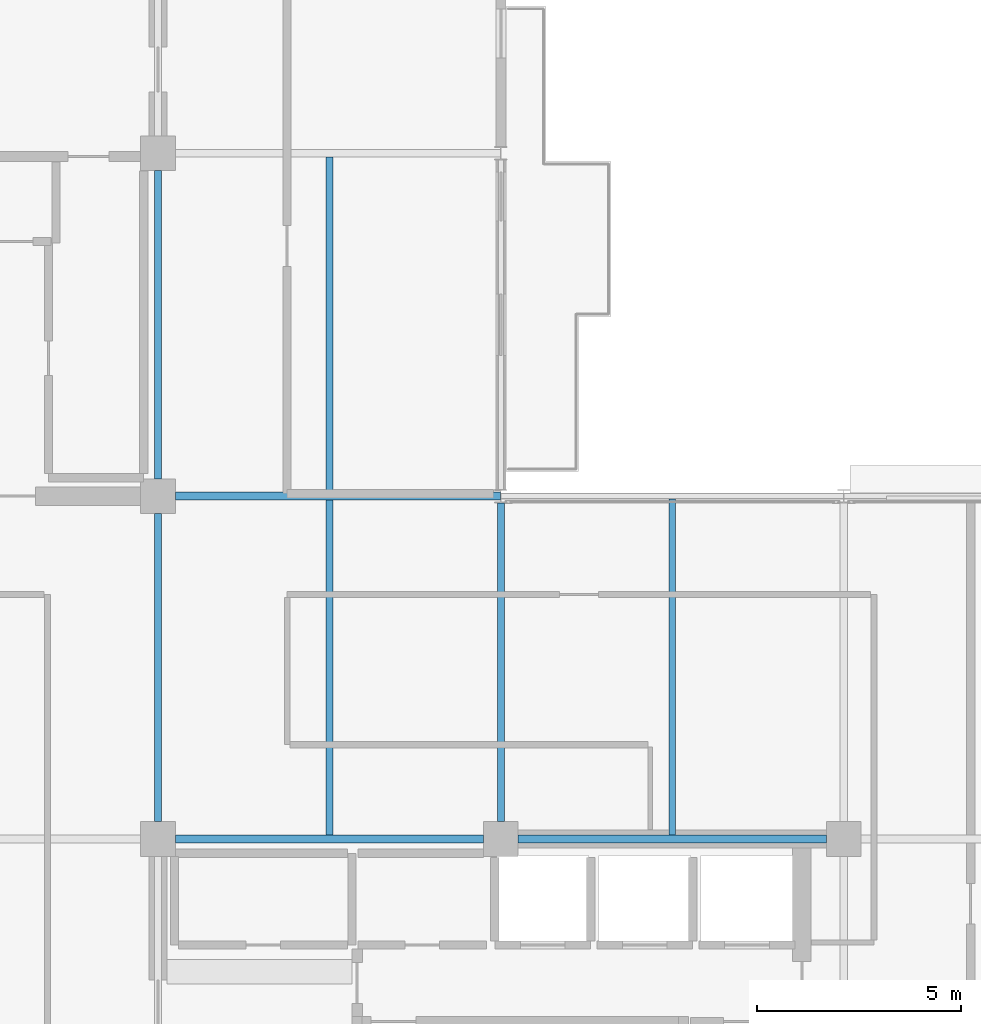
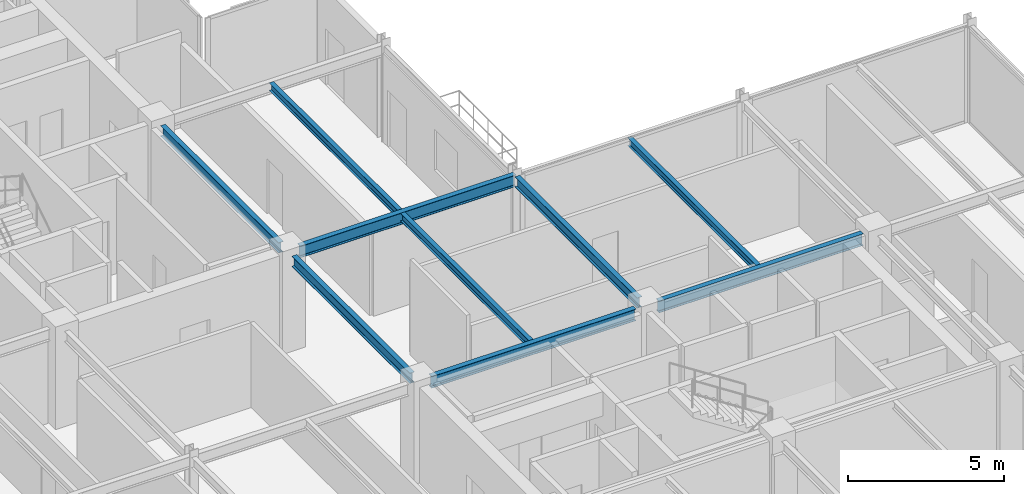
# One storey, part 12 of 27: 9 beams.
"""IFC4 building model written with IfcOpenShell, lengths in metres."""

from ifc_helpers import new_model, si_unit, direction, frame, origin, origin_2d, place, context, subcontext, project, spatial, i_section, extrude, material, material_profile, profile_set, type_object, element, save


model = new_model("IFC4")

# Units and contexts
model_context = context("Model", 3, precision=1e-05, world=origin(), true_north=direction((0.0, 1.0)))
body_context = subcontext(model_context, "Body", "Model", "MODEL_VIEW")
ifc_project = project(units=[si_unit("LENGTHUNIT", "METRE"), si_unit("AREAUNIT", "SQUARE_METRE"), si_unit("VOLUMEUNIT", "CUBIC_METRE"), si_unit("PLANEANGLEUNIT", "RADIAN"), si_unit("MASSUNIT", "GRAM", prefix="KILO")], contexts=[model_context])

# Site, building, storey
site_placement = place(None, origin())
site = spatial("IfcSite", under=ifc_project, at=site_placement, CompositionType="ELEMENT")
building_placement = place(site_placement, origin())
building = spatial("IfcBuilding", under=site, at=building_placement, Name="Nerrivon Quay Data Exchange", CompositionType="ELEMENT")
storey_placement = place(building_placement, frame((0.0, 0.0, 278.199951171875)))
storey = spatial("IfcBuildingStorey", under=building, at=storey_placement, Name="L66", CompositionType="ELEMENT", Elevation=278.199951171875)

# Beams
ifc_material = material(Name="Steel Grade 350", Category="steel")
ifc_material_profile_1 = material_profile(ifc_material, i_section(OverallWidth=0.18994140625, OverallDepth=0.4541015625, WebThickness=0.008544921875, FlangeThickness=0.0126953125, FilletRadius=0.011474609375, at=origin_2d()), Name="460UB67.1")
ifc_profile_set_1 = profile_set([ifc_material_profile_1], Name="Steel Grade 350")
beam_type_1 = type_object("IfcBeamType", Name="BM-G6-460UB67", PredefinedType="BEAM", material=ifc_profile_set_1)
beam_1_placement = place(storey_placement, frame((17.22509765625, 16.800048828125, 3.498046875), z_axis=(1.0, 0.0, 0.0), x_axis=(0.0, 1.0, 0.0)))
element("IfcBeam", 1, at=beam_1_placement, inside=storey, type_object=beam_type_1, Name="L66 EW Girder Y=16.8 (16.8..25.2)", PredefinedType="BEAM", context=body_context, shape_type="SweptSolid", body=[
    extrude(i_section(OverallWidth=0.18994140625, OverallDepth=0.4541015625, WebThickness=0.008544921875, FlangeThickness=0.0126953125, FilletRadius=0.011474609375, at=origin_2d()), origin(), (0.0, 0.0, 1.0), 7.5498046875),
])
beam_2_placement = place(storey_placement, frame((25.625, 16.800048828125, 3.498046875), z_axis=(1.0, 0.0, 0.0), x_axis=(0.0, 1.0, 0.0)))
element("IfcBeam", 2, at=beam_2_placement, inside=storey, type_object=beam_type_1, Name="L66 EW Girder Y=16.8 (25.2..33.6)", PredefinedType="BEAM", context=body_context, shape_type="SweptSolid", body=[
    extrude(i_section(OverallWidth=0.18994140625, OverallDepth=0.4541015625, WebThickness=0.008544921875, FlangeThickness=0.0126953125, FilletRadius=0.011474609375, at=origin_2d()), origin(), (0.0, 0.0, 1.0), 7.550048828125),
])
beam_3_placement = place(storey_placement, frame((17.22509765625, 25.199951171875, 3.498046875), z_axis=(1.0, 0.0, 0.0), x_axis=(0.0, 1.0, 0.0)))
element("IfcBeam", 3, at=beam_3_placement, inside=storey, type_object=beam_type_1, Name="L66 EW Girder Y=25.2 (16.8..25.2)", PredefinedType="BEAM", context=body_context, shape_type="SweptSolid", body=[
    extrude(i_section(OverallWidth=0.18994140625, OverallDepth=0.4541015625, WebThickness=0.008544921875, FlangeThickness=0.0126953125, FilletRadius=0.011474609375, at=origin_2d()), origin(), (0.0, 0.0, 1.0), 7.967041015625),
])
ifc_material_profile_2 = material_profile(ifc_material, i_section(OverallWidth=0.177978515625, OverallDepth=0.406005859375, WebThickness=0.0078125, FlangeThickness=0.0126953125, FilletRadius=0.011474609375, at=origin_2d()), Name="410UB59.7")
ifc_profile_set_2 = profile_set([ifc_material_profile_2], Name="Steel Grade 350")
beam_type_2 = type_object("IfcBeamType", Name="BM-J1-410UB60", PredefinedType="JOIST", material=ifc_profile_set_2)
beam_4_placement = place(storey_placement, frame((16.800048828125, 17.22509765625, 3.52197265625), z_axis=(0.0, 1.0, 0.0), x_axis=(-1.0, 0.0, 0.0)))
element("IfcBeam", 4, at=beam_4_placement, inside=storey, type_object=beam_type_2, Name="L66 NS Girder X=16.8 (16.8..25.2)", PredefinedType="JOIST", context=body_context, shape_type="SweptSolid", body=[
    extrude(i_section(OverallWidth=0.177978515625, OverallDepth=0.406005859375, WebThickness=0.0078125, FlangeThickness=0.0126953125, FilletRadius=0.011474609375, at=origin_2d()), origin(), (0.0, 0.0, 1.0), 7.5498046875),
])
beam_5_placement = place(storey_placement, frame((16.800048828125, 25.625, 3.52197265625), z_axis=(0.0, 1.0, 0.0), x_axis=(-1.0, 0.0, 0.0)))
element("IfcBeam", 5, at=beam_5_placement, inside=storey, type_object=beam_type_2, Name="L66 NS Girder X=16.8 (25.2..33.6)", PredefinedType="JOIST", context=body_context, shape_type="SweptSolid", body=[
    extrude(i_section(OverallWidth=0.177978515625, OverallDepth=0.406005859375, WebThickness=0.0078125, FlangeThickness=0.0126953125, FilletRadius=0.011474609375, at=origin_2d()), origin(), (0.0, 0.0, 1.0), 7.550048828125),
])
beam_6_placement = place(storey_placement, frame((25.199951171875, 17.22509765625, 3.52197265625), z_axis=(0.0, 1.0, 0.0), x_axis=(-1.0, 0.0, 0.0)))
element("IfcBeam", 6, at=beam_6_placement, inside=storey, type_object=beam_type_2, Name="L66 NS Girder X=25.2 (16.8..25.2)", PredefinedType="JOIST", context=body_context, shape_type="SweptSolid", body=[
    extrude(i_section(OverallWidth=0.177978515625, OverallDepth=0.406005859375, WebThickness=0.0078125, FlangeThickness=0.0126953125, FilletRadius=0.011474609375, at=origin_2d()), origin(), (0.0, 0.0, 1.0), 7.8115234375),
])
ifc_material_profile_3 = material_profile(ifc_material, i_section(OverallWidth=0.1650390625, OverallDepth=0.303955078125, WebThickness=0.006103515625, FlangeThickness=0.01025390625, FilletRadius=0.011474609375, at=origin_2d()), Name="310UB40.4")
ifc_profile_set_3 = profile_set([ifc_material_profile_3], Name="Steel Grade 350")
beam_type_3 = type_object("IfcBeamType", Name="BM-J6-310UB40", PredefinedType="JOIST", material=ifc_profile_set_3)
for number, where, z_axis, x_axis, name in (
    (7, (21.0, 16.89501953125, 3.572998046875), (0.0, 1.0, 0.0), (-1.0, 0.0, 0.0), "L66 Secondary Joist X=21.0 (16.8..25.2)"),
    (8, (21.0, 25.294921875, 3.572998046875), (0.0, 1.0, 0.0), (-1.0, 0.0, 0.0), "L66 Secondary Joist X=21.0 (25.2..33.6)"),
):
    element("IfcBeam", number, at=place(storey_placement, frame(where, z_axis=z_axis, x_axis=x_axis)), inside=storey, type_object=beam_type_3, Name=name, PredefinedType="JOIST", context=body_context, shape_type="SweptSolid", body=[
        extrude(i_section(OverallWidth=0.1650390625, OverallDepth=0.303955078125, WebThickness=0.006103515625, FlangeThickness=0.01025390625, FilletRadius=0.011474609375, at=origin_2d()), origin(), (0.0, 0.0, 1.0), 8.2099609375),
    ])
beam_7_placement = place(storey_placement, frame((29.39990234375, 16.89501953125, 3.572998046875), z_axis=(0.0, 1.0, 0.0), x_axis=(-1.0, 0.0, 0.0)))
element("IfcBeam", 9, at=beam_7_placement, inside=storey, type_object=beam_type_3, Name="L66 Secondary Joist X=29.4 (16.8..25.2)", PredefinedType="JOIST", context=body_context, shape_type="SweptSolid", body=[
    extrude(i_section(OverallWidth=0.1650390625, OverallDepth=0.303955078125, WebThickness=0.006103515625, FlangeThickness=0.01025390625, FilletRadius=0.011474609375, at=origin_2d()), origin(), (0.0, 0.0, 1.0), 8.22998046875),
])

save(model, "model.ifc")
